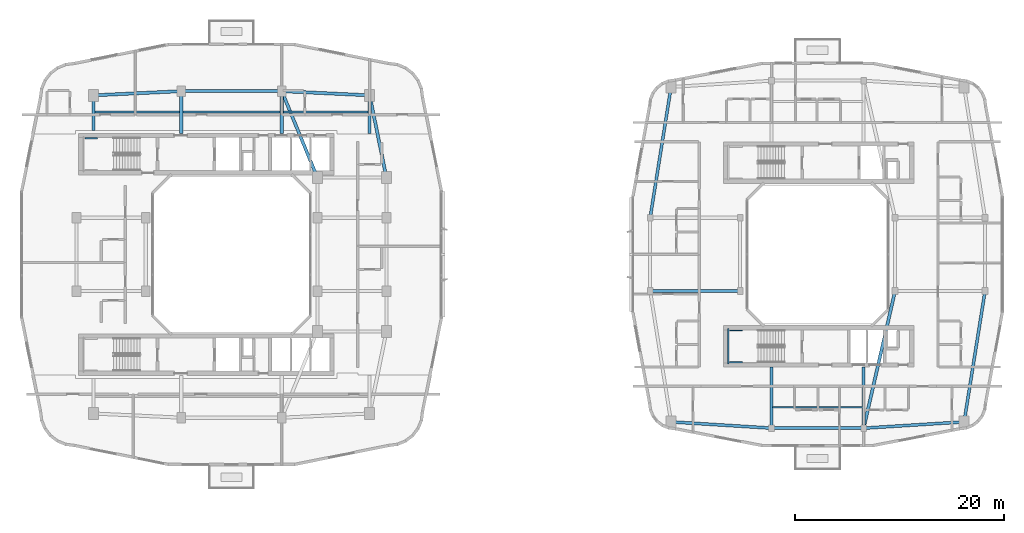
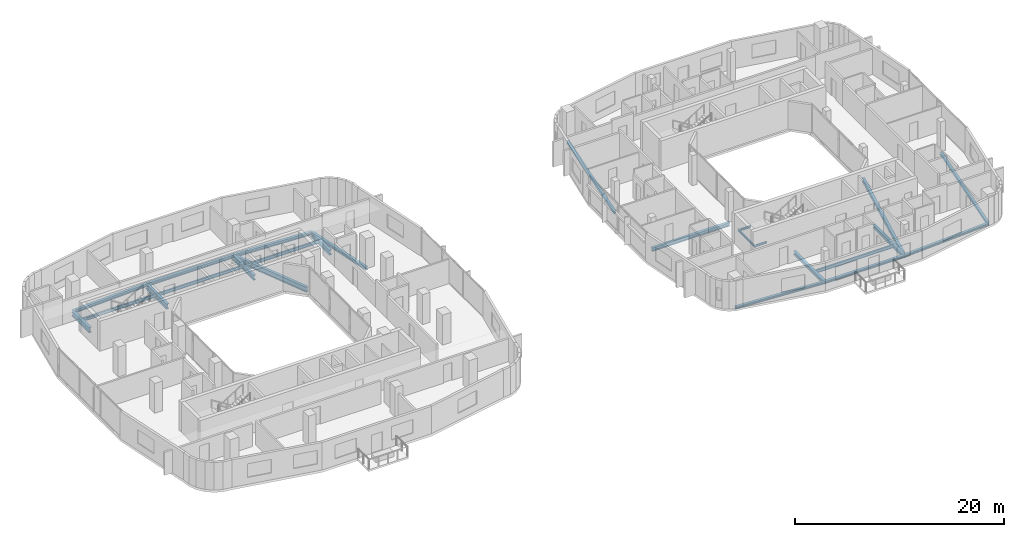
# One storey, part 5 of 22: 26 beams.
"""IFC4 building model written with IfcOpenShell, lengths in metres."""

from ifc_helpers import new_model, si_unit, derived_unit, direction, frame, origin, origin_2d, place, context, subcontext, project, spatial, i_section, extrude, material, material_profile, profile_set, type_object, element, save


model = new_model("IFC4")

# Units and contexts
model_context = context("Model", 3, precision=1e-05, world=origin(), true_north=direction((0.0, 1.0)))
body_context = subcontext(model_context, "Body", "Model", "MODEL_VIEW")
ifc_project = project(units=[si_unit("LENGTHUNIT", "METRE"), si_unit("AREAUNIT", "SQUARE_METRE"), si_unit("VOLUMEUNIT", "CUBIC_METRE"), si_unit("PLANEANGLEUNIT", "RADIAN"), si_unit("MASSUNIT", "GRAM", prefix="KILO"), derived_unit("THERMALTRANSMITTANCEUNIT", [(si_unit("POWERUNIT", "WATT"), 1), (si_unit("LENGTHUNIT", "METRE"), -2), (si_unit("THERMODYNAMICTEMPERATUREUNIT", "KELVIN"), -1)])], contexts=[model_context])

# Site, building, storey
site_placement = place(None, origin())
site = spatial("IfcSite", under=ifc_project, at=site_placement, CompositionType="ELEMENT")
building_placement = place(site_placement, origin())
building = spatial("IfcBuilding", under=site, at=building_placement, Name="Kivonza Crest Hotel", CompositionType="ELEMENT")
storey_placement = place(building_placement, frame((0.0, 0.0, 112.5)))
storey = spatial("IfcBuildingStorey", under=building, at=storey_placement, Name="L30", CompositionType="ELEMENT", Elevation=112.5)

# Beams
ifc_material = material(Name="Steel S355", Category="steel")
ifc_material_profile_1 = material_profile(ifc_material, i_section(OverallWidth=0.280029296875, OverallDepth=0.280029296875, WebThickness=0.010498046875, FlangeThickness=0.01806640625, FilletRadius=0.02392578125, at=origin_2d()), Name="HEB 280")
ifc_profile_set_1 = profile_set([ifc_material_profile_1], Name="Steel S355")
beam_type_1 = type_object("IfcBeamType", Name="BM-HEB280", PredefinedType="SPANDREL", material=ifc_profile_set_1)
beam_1_placement = place(storey_placement, frame((72.60009765625, 8.39990234375, -0.389892578125), z_axis=(1.0, 0.0, 0.0), x_axis=(0.0, 1.0, 0.0)))
element("IfcBeam", 1, at=beam_1_placement, inside=storey, type_object=beam_type_1, Name="Companion Tower T2 L30 perimeter spandrel S1-S2", PredefinedType="SPANDREL", context=body_context, shape_type="SweptSolid", body=[
    extrude(i_section(OverallWidth=0.280029296875, OverallDepth=0.280029296875, WebThickness=0.010498046875, FlangeThickness=0.01806640625, FilletRadius=0.02392578125, at=origin_2d()), origin(), (0.0, 0.0, 1.0), 8.7998046875),
])
beam_2_placement = place(storey_placement, frame((81.39990234375, 8.39990234375, -0.389892578125), z_axis=(0.998051985873, 0.062387767186, 0.0), x_axis=(-0.062387767186, 0.998051985873, 0.0)))
element("IfcBeam", 2, at=beam_2_placement, inside=storey, type_object=beam_type_1, Name="Companion Tower T2 L30 perimeter spandrel S2-SE", PredefinedType="SPANDREL", context=body_context, shape_type="SweptSolid", body=[
    extrude(i_section(OverallWidth=0.280029296875, OverallDepth=0.280029296875, WebThickness=0.010498046875, FlangeThickness=0.01806640625, FilletRadius=0.02392578125, at=origin_2d()), origin(), (0.0, 0.0, 1.0), 9.618896484375),
])
for number, where, z_axis, x_axis, name in (
    (3, (91.0, 9.0, -0.389892578125), (0.157990501107, 0.987440631917, 0.0), (-0.987440631917, 0.157990501107, 0.0), "Companion Tower T2 L30 perimeter spandrel SE-E1"),
    (4, (63.0, 41.0, -0.389892578125), (-0.157990501107, -0.987440631917, 0.0), (0.987440631917, -0.157990501107, 0.0), "Companion Tower T2 L30 perimeter spandrel NW-W2"),
):
    element("IfcBeam", number, at=place(storey_placement, frame(where, z_axis=z_axis, x_axis=x_axis)), inside=storey, type_object=beam_type_1, Name=name, PredefinedType="SPANDREL", context=body_context, shape_type="SweptSolid", body=[
        extrude(i_section(OverallWidth=0.280029296875, OverallDepth=0.280029296875, WebThickness=0.010498046875, FlangeThickness=0.01806640625, FilletRadius=0.02392578125, at=origin_2d()), origin(), (0.0, 0.0, 1.0), 12.658935546875),
    ])
beam_3_placement = place(storey_placement, frame((63.0, 9.0, -0.389892578125), z_axis=(0.998051985873, -0.062387767186, 0.0), x_axis=(0.062387767186, 0.998051985873, 0.0)))
element("IfcBeam", 5, at=beam_3_placement, inside=storey, type_object=beam_type_1, Name="Companion Tower T2 L30 perimeter spandrel SW-S1", PredefinedType="SPANDREL", context=body_context, shape_type="SweptSolid", body=[
    extrude(i_section(OverallWidth=0.280029296875, OverallDepth=0.280029296875, WebThickness=0.010498046875, FlangeThickness=0.01806640625, FilletRadius=0.02392578125, at=origin_2d()), origin(), (0.0, 0.0, 1.0), 9.618896484375),
])
ifc_material_profile_2 = material_profile(ifc_material, i_section(OverallWidth=0.300048828125, OverallDepth=0.360107421875, WebThickness=0.012451171875, FlangeThickness=0.0224609375, FilletRadius=0.027099609375, at=origin_2d()), Name="HEB 360")
ifc_profile_set_2 = profile_set([ifc_material_profile_2], Name="Steel S355")
beam_type_2 = type_object("IfcBeamType", Name="BM-HEB360", PredefinedType="SPANDREL", material=ifc_profile_set_2)
beam_4_placement = place(storey_placement, frame((35.800048828125, 32.35009765625, -0.4599609375), z_axis=(-0.199730733965, 0.979850822273, 0.0), x_axis=(-0.979850822273, -0.199730733965, 0.0)))
element("IfcBeam", 6, at=beam_4_placement, inside=storey, type_object=beam_type_2, Name="Tower T1 L30 perimeter spandrel PNE-NE", PredefinedType="SPANDREL", context=body_context, shape_type="SweptSolid", body=[
    extrude(i_section(OverallWidth=0.300048828125, OverallDepth=0.360107421875, WebThickness=0.012451171875, FlangeThickness=0.0224609375, FilletRadius=0.027099609375, at=origin_2d()), origin(), (0.0, 0.0, 1.0), 8.01123046875),
])
beam_5_placement = place(storey_placement, frame((34.199951171875, 40.199951171875, -0.4599609375), z_axis=(-0.998867283688, 0.047583080799, 0.0), x_axis=(-0.047583080799, -0.998867283688, 0.0)))
element("IfcBeam", 7, at=beam_5_placement, inside=storey, type_object=beam_type_2, Name="Tower T1 L30 perimeter spandrel NE-N2", PredefinedType="SPANDREL", context=body_context, shape_type="SweptSolid", body=[
    extrude(i_section(OverallWidth=0.300048828125, OverallDepth=0.360107421875, WebThickness=0.012451171875, FlangeThickness=0.0224609375, FilletRadius=0.027099609375, at=origin_2d()), origin(), (0.0, 0.0, 1.0), 8.409423828125),
])
beam_6_placement = place(storey_placement, frame((25.800048828125, 40.60009765625, -0.4599609375), z_axis=(-1.0, 0.0, 0.0), x_axis=(0.0, -1.0, 0.0)))
element("IfcBeam", 8, at=beam_6_placement, inside=storey, type_object=beam_type_2, Name="Tower T1 L30 perimeter spandrel N2-N1", PredefinedType="SPANDREL", context=body_context, shape_type="SweptSolid", body=[
    extrude(i_section(OverallWidth=0.300048828125, OverallDepth=0.360107421875, WebThickness=0.012451171875, FlangeThickness=0.0224609375, FilletRadius=0.027099609375, at=origin_2d()), origin(), (0.0, 0.0, 1.0), 9.60009765625),
])
beam_7_placement = place(storey_placement, frame((16.199951171875, 40.60009765625, -0.4599609375), z_axis=(-0.998867283688, -0.047583080799, 0.0), x_axis=(0.047583080799, -0.998867283688, 0.0)))
element("IfcBeam", 9, at=beam_7_placement, inside=storey, type_object=beam_type_2, Name="Tower T1 L30 perimeter spandrel N1-NW", PredefinedType="SPANDREL", context=body_context, shape_type="SweptSolid", body=[
    extrude(i_section(OverallWidth=0.300048828125, OverallDepth=0.360107421875, WebThickness=0.012451171875, FlangeThickness=0.0224609375, FilletRadius=0.027099609375, at=origin_2d()), origin(), (0.0, 0.0, 1.0), 8.409423828125),
])
ifc_material_profile_3 = material_profile(ifc_material, i_section(OverallWidth=0.300048828125, OverallDepth=0.39990234375, WebThickness=0.013427734375, FlangeThickness=0.02392578125, FilletRadius=0.027099609375, at=origin_2d()), Name="HEB 400")
ifc_profile_set_3 = profile_set([ifc_material_profile_3], Name="Steel S355")
beam_type_3 = type_object("IfcBeamType", Name="BM-HEB400", PredefinedType="BEAM", material=ifc_profile_set_3)
beam_8_placement = place(storey_placement, frame((61.0, 21.5, -0.449951171875), z_axis=(1.0, 0.0, 0.0), x_axis=(0.0, 1.0, 0.0)))
element("IfcBeam", 10, at=beam_8_placement, inside=storey, type_object=beam_type_3, Name="Companion Tower T2 L30 girder W1-WL1", PredefinedType="BEAM", context=body_context, shape_type="SweptSolid", body=[
    extrude(i_section(OverallWidth=0.300048828125, OverallDepth=0.39990234375, WebThickness=0.013427734375, FlangeThickness=0.02392578125, FilletRadius=0.027099609375, at=origin_2d()), origin(), (0.0, 0.0, 1.0), 8.60009765625),
])
beam_9_placement = place(storey_placement, frame((84.39990234375, 21.5, -0.449951171875), z_axis=(-0.223227287589, -0.974766422317, 0.0), x_axis=(0.974766422317, -0.223227287589, 0.0)))
element("IfcBeam", 11, at=beam_9_placement, inside=storey, type_object=beam_type_3, Name="Companion Tower T2 L30 girder WR1-S2", PredefinedType="BEAM", context=body_context, shape_type="SweptSolid", body=[
    extrude(i_section(OverallWidth=0.300048828125, OverallDepth=0.39990234375, WebThickness=0.013427734375, FlangeThickness=0.02392578125, FilletRadius=0.027099609375, at=origin_2d()), origin(), (0.0, 0.0, 1.0), 13.439208984375),
])
for number, where, z_axis, x_axis, name in (
    (12, (72.60009765625, 8.39990234375, -0.449951171875), (0.0, 1.0, 0.0), (-1.0, 0.0, 0.0), "Companion T2 L30 radial core girder RS1"),
    (13, (81.39990234375, 8.39990234375, -0.449951171875), (0.0, 1.0, 0.0), (-1.0, 0.0, 0.0), "Companion T2 L30 radial core girder RS2"),
):
    element("IfcBeam", number, at=place(storey_placement, frame(where, z_axis=z_axis, x_axis=x_axis)), inside=storey, type_object=beam_type_3, Name=name, PredefinedType="BEAM", context=body_context, shape_type="SweptSolid", body=[
        extrude(i_section(OverallWidth=0.300048828125, OverallDepth=0.39990234375, WebThickness=0.013427734375, FlangeThickness=0.02392578125, FilletRadius=0.027099609375, at=origin_2d()), origin(), (0.0, 0.0, 1.0), 5.85009765625),
    ])
ifc_material_profile_4 = material_profile(ifc_material, i_section(OverallWidth=0.300048828125, OverallDepth=0.60009765625, WebThickness=0.015380859375, FlangeThickness=0.030029296875, FilletRadius=0.027099609375, at=origin_2d()), Name="HEB 600")
ifc_profile_set_4 = profile_set([ifc_material_profile_4], Name="Steel S355")
beam_type_4 = type_object("IfcBeamType", Name="BM-HEB600", PredefinedType="BEAM", material=ifc_profile_set_4)
beam_10_placement = place(storey_placement, frame((25.800048828125, 40.60009765625, -0.580078125), z_axis=(0.381022260404, -0.924565864109, 0.0), x_axis=(0.924565864109, 0.381022260404, 0.0)))
element("IfcBeam", 14, at=beam_10_placement, inside=storey, type_object=beam_type_4, Name="Tower T1 L30 primary girder N1-TNE", PredefinedType="BEAM", context=body_context, shape_type="SweptSolid", body=[
    extrude(i_section(OverallWidth=0.300048828125, OverallDepth=0.60009765625, WebThickness=0.015380859375, FlangeThickness=0.030029296875, FilletRadius=0.027099609375, at=origin_2d()), origin(), (0.0, 0.0, 1.0), 8.923095703125),
])
beam_11_placement = place(storey_placement, frame((7.800048828125, 40.199951171875, -0.580078125), z_axis=(0.0, -1.0, 0.0), x_axis=(1.0, 0.0, 0.0)))
element("IfcBeam", 15, at=beam_11_placement, inside=storey, type_object=beam_type_4, Name="Tower T1 L30 radial core girder RNW", PredefinedType="BEAM", context=body_context, shape_type="SweptSolid", body=[
    extrude(i_section(OverallWidth=0.300048828125, OverallDepth=0.60009765625, WebThickness=0.015380859375, FlangeThickness=0.030029296875, FilletRadius=0.027099609375, at=origin_2d()), origin(), (0.0, 0.0, 1.0), 3.349853515625),
])
for number, where, z_axis, x_axis, name in (
    (16, (16.199951171875, 40.60009765625, -0.580078125), (0.0, -1.0, 0.0), (1.0, 0.0, 0.0), "Tower T1 L30 radial core girder RN1"),
    (17, (25.800048828125, 40.60009765625, -0.580078125), (0.0, -1.0, 0.0), (1.0, 0.0, 0.0), "Tower T1 L30 radial core girder RN2"),
):
    element("IfcBeam", number, at=place(storey_placement, frame(where, z_axis=z_axis, x_axis=x_axis)), inside=storey, type_object=beam_type_4, Name=name, PredefinedType="BEAM", context=body_context, shape_type="SweptSolid", body=[
        extrude(i_section(OverallWidth=0.300048828125, OverallDepth=0.60009765625, WebThickness=0.015380859375, FlangeThickness=0.030029296875, FilletRadius=0.027099609375, at=origin_2d()), origin(), (0.0, 0.0, 1.0), 4.050048828125),
    ])
beam_12_placement = place(storey_placement, frame((34.199951171875, 40.199951171875, -0.580078125), z_axis=(0.0, -1.0, 0.0), x_axis=(1.0, 0.0, 0.0)))
element("IfcBeam", 18, at=beam_12_placement, inside=storey, type_object=beam_type_4, Name="Tower T1 L30 radial core girder RNE", PredefinedType="BEAM", context=body_context, shape_type="SweptSolid", body=[
    extrude(i_section(OverallWidth=0.300048828125, OverallDepth=0.60009765625, WebThickness=0.015380859375, FlangeThickness=0.030029296875, FilletRadius=0.027099609375, at=origin_2d()), origin(), (0.0, 0.0, 1.0), 3.64990234375),
])
ifc_material_profile_5 = material_profile(ifc_material, i_section(OverallWidth=0.169921875, OverallDepth=0.360107421875, WebThickness=0.008056640625, FlangeThickness=0.0126953125, FilletRadius=0.01806640625, at=origin_2d()), Name="IPE 360")
ifc_profile_set_5 = profile_set([ifc_material_profile_5], Name="Steel S355")
beam_type_5 = type_object("IfcBeamType", Name="BM-IPE360", PredefinedType="JOIST", material=ifc_profile_set_5)
beam_13_placement = place(storey_placement, frame((7.8798828125, 38.60009765625, -0.4599609375), z_axis=(1.0, 0.0, 0.0), x_axis=(0.0, 1.0, 0.0)))
element("IfcBeam", 19, at=beam_13_placement, inside=storey, type_object=beam_type_5, Name="Tower T1 L30 North-West floor joist", PredefinedType="JOIST", context=body_context, shape_type="SweptSolid", body=[
    extrude(i_section(OverallWidth=0.169921875, OverallDepth=0.360107421875, WebThickness=0.008056640625, FlangeThickness=0.0126953125, FilletRadius=0.01806640625, at=origin_2d()), origin(), (0.0, 0.0, 1.0), 8.240234375),
])
beam_14_placement = place(storey_placement, frame((16.280029296875, 38.60009765625, -0.4599609375), z_axis=(1.0, 0.0, 0.0), x_axis=(0.0, 1.0, 0.0)))
element("IfcBeam", 20, at=beam_14_placement, inside=storey, type_object=beam_type_5, Name="Tower T1 L30 North-Mid floor joist", PredefinedType="JOIST", context=body_context, shape_type="SweptSolid", body=[
    extrude(i_section(OverallWidth=0.169921875, OverallDepth=0.360107421875, WebThickness=0.008056640625, FlangeThickness=0.0126953125, FilletRadius=0.01806640625, at=origin_2d()), origin(), (0.0, 0.0, 1.0), 9.43994140625),
])
beam_15_placement = place(storey_placement, frame((25.8798828125, 38.60009765625, -0.4599609375), z_axis=(1.0, 0.0, 0.0), x_axis=(0.0, 1.0, 0.0)))
element("IfcBeam", 21, at=beam_15_placement, inside=storey, type_object=beam_type_5, Name="Tower T1 L30 North-East floor joist", PredefinedType="JOIST", context=body_context, shape_type="SweptSolid", body=[
    extrude(i_section(OverallWidth=0.169921875, OverallDepth=0.360107421875, WebThickness=0.008056640625, FlangeThickness=0.0126953125, FilletRadius=0.01806640625, at=origin_2d()), origin(), (0.0, 0.0, 1.0), 8.240234375),
])
beam_16_placement = place(storey_placement, frame((72.679931640625, 10.39990234375, -0.429931640625), z_axis=(1.0, 0.0, 0.0), x_axis=(0.0, 1.0, 0.0)))
element("IfcBeam", 22, at=beam_16_placement, inside=storey, type_object=beam_type_5, Name="Companion Tower T2 L30 South floor joist", PredefinedType="JOIST", context=body_context, shape_type="SweptSolid", body=[
    extrude(i_section(OverallWidth=0.169921875, OverallDepth=0.360107421875, WebThickness=0.008056640625, FlangeThickness=0.0126953125, FilletRadius=0.01806640625, at=origin_2d()), origin(), (0.0, 0.0, 1.0), 8.64013671875),
])
ifc_material_profile_6 = material_profile(ifc_material, i_section(OverallWidth=0.1201171875, OverallDepth=0.239990234375, WebThickness=0.006103515625, FlangeThickness=0.009765625, FilletRadius=0.014892578125, at=origin_2d()), Name="IPE 240")
ifc_profile_set_6 = profile_set([ifc_material_profile_6], Name="Steel S355")
beam_type_6 = type_object("IfcBeamType", Name="BM-LLDG-240", PredefinedType="BEAM", material=ifc_profile_set_6)
beam_17_placement = place(storey_placement, frame((6.989990234375, 36.10009765625, 1.429931640625), z_axis=(1.0, 0.0, 0.0), x_axis=(0.0, 1.0, 0.0)))
element("IfcBeam", 23, at=beam_17_placement, inside=storey, type_object=beam_type_6, Name="Stair ST-T1-N L30 North landing corbel", PredefinedType="BEAM", context=body_context, shape_type="SweptSolid", body=[
    extrude(i_section(OverallWidth=0.1201171875, OverallDepth=0.239990234375, WebThickness=0.006103515625, FlangeThickness=0.009765625, FilletRadius=0.014892578125, at=origin_2d()), origin(), (0.0, 0.0, 1.0), 1.2099609375),
])
beam_18_placement = place(storey_placement, frame((68.4599609375, 14.5400390625, 1.429931640625), z_axis=(0.0, 1.0, 0.0), x_axis=(-1.0, 0.0, 0.0)))
element("IfcBeam", 24, at=beam_18_placement, inside=storey, type_object=beam_type_6, Name="Stair ST-T2-S L30 West landing corbel", PredefinedType="BEAM", context=body_context, shape_type="SweptSolid", body=[
    extrude(i_section(OverallWidth=0.1201171875, OverallDepth=0.239990234375, WebThickness=0.006103515625, FlangeThickness=0.009765625, FilletRadius=0.014892578125, at=origin_2d()), origin(), (0.0, 0.0, 1.0), 3.35986328125),
])
for number, where, z_axis, x_axis, name in (
    (25, (68.590087890625, 14.699951171875, 1.429931640625), (1.0, 0.0, 0.0), (0.0, 1.0, 0.0), "Stair ST-T2-S L30 South landing corbel"),
    (26, (68.590087890625, 17.739990234375, 1.429931640625), (1.0, 0.0, 0.0), (0.0, 1.0, 0.0), "Stair ST-T2-S L30 North landing corbel"),
):
    element("IfcBeam", number, at=place(storey_placement, frame(where, z_axis=z_axis, x_axis=x_axis)), inside=storey, type_object=beam_type_6, Name=name, PredefinedType="BEAM", context=body_context, shape_type="SweptSolid", body=[
        extrude(i_section(OverallWidth=0.1201171875, OverallDepth=0.239990234375, WebThickness=0.006103515625, FlangeThickness=0.009765625, FilletRadius=0.014892578125, at=origin_2d()), origin(), (0.0, 0.0, 1.0), 1.2099609375),
    ])

save(model, "model.ifc")
